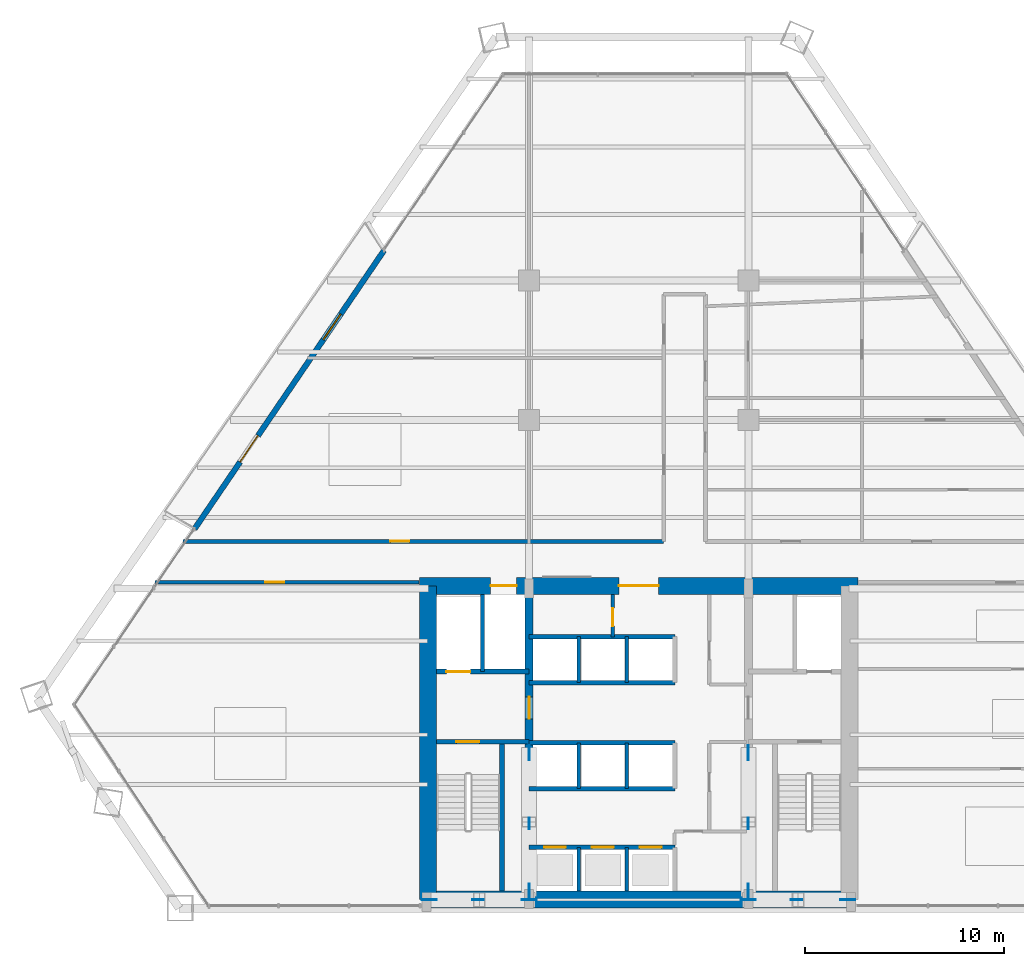
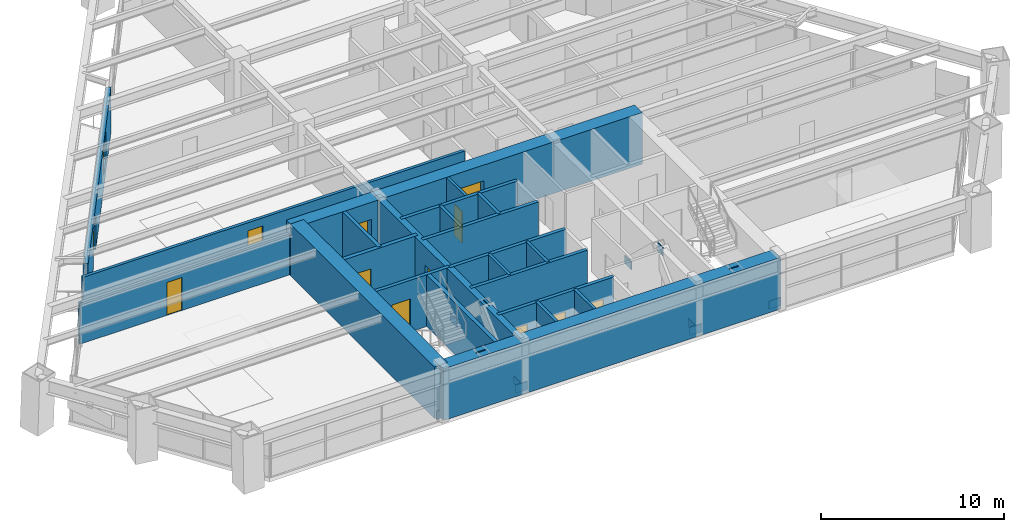
# One storey, part 10 of 15: 23 walls, 12 doors, 12 plates, 1 window, 13 openings.
"""IFC4 building model written with IfcOpenShell, lengths in metres."""

from ifc_helpers import new_model, si_unit, direction, frame, frame_2d, origin, origin_2d, place, context, subcontext, project, spatial, rectangle, extrude, source, transform, mapped, material, layer, layer_set, type_object, type_shapes, element, fill, save


model = new_model("IFC4")

# Units and contexts
model_context = context("Model", 3, precision=1e-05, world=origin(), true_north=direction((0.0, 1.0)))
body_context = subcontext(model_context, "Body", "Model", "MODEL_VIEW")
ifc_project = project(units=[si_unit("LENGTHUNIT", "METRE"), si_unit("AREAUNIT", "SQUARE_METRE"), si_unit("VOLUMEUNIT", "CUBIC_METRE"), si_unit("PLANEANGLEUNIT", "RADIAN"), si_unit("MASSUNIT", "GRAM", prefix="KILO")], contexts=[model_context])

# Site, building, storey
site_placement = place(None, origin())
site = spatial("IfcSite", under=ifc_project, at=site_placement, CompositionType="ELEMENT")
building_placement = place(site_placement, origin())
building = spatial("IfcBuilding", under=site, at=building_placement, Name="Varnakhor Terracotta Tower", CompositionType="ELEMENT")
storey_placement = place(building_placement, frame((0.0, 0.0, 57.10009765625)))
storey = spatial("IfcBuildingStorey", under=building, at=storey_placement, Name="L13", CompositionType="ELEMENT", Elevation=57.10009765625)

# Plates
ifc_material_1 = material(Name="Steel S460", Category="steel")
ifc_layer_1 = layer(ifc_material_1, 0.050048828125, Name="Steel S460")
ifc_layer_set_1 = layer_set([ifc_layer_1], Name="Steel S460")
plate_type = type_object("IfcPlateType", Name="PLT-GUSSET-50", PredefinedType="USERDEFINED", material=ifc_layer_set_1)
shared_shape_1 = source(origin(), body_context, "Body", "SweptSolid", [
    extrude(rectangle(XDim=0.75, YDim=0.0400390625, at=origin_2d()), origin(), (0.0, 0.0, 1.0), 0.550048828125),
])
type_shapes(plate_type, [shared_shape_1])
for number, where, z_axis, x_axis, name in (
    (1, (-10.5, 0.419921875, -0.09521484375), (0.0, 0.0, 1.0), (1.0, 0.0, 0.0), "L13 Core Brace Embed Plate CSWA"),
    (2, (-5.5, 0.419921875, -0.09521484375), (0.0, 0.0, 1.0), (1.0, 0.0, 0.0), "L13 Core Brace Embed Plate CSWB"),
    (3, (5.5, 0.419921875, -0.09521484375), (0.0, 0.0, 1.0), (1.0, 0.0, 0.0), "L13 Core Brace Embed Plate CSEA"),
    (4, (10.5, 0.419921875, -0.09521484375), (0.0, 0.0, 1.0), (1.0, 0.0, 0.0), "L13 Core Brace Embed Plate CSEB"),
    (5, (-5.5, 0.85009765625, -0.09521484375), (0.0, 0.0, 1.0), (0.0, 1.0, 0.0), "L13 Core Brace Embed Plate CWWA"),
    (6, (-5.5, 7.800048828125, -0.09521484375), (0.0, 0.0, 1.0), (0.0, 1.0, 0.0), "L13 Core Brace Embed Plate CWWB"),
    (7, (5.5, 0.85009765625, -0.09521484375), (0.0, 0.0, 1.0), (0.0, 1.0, 0.0), "L13 Core Brace Embed Plate CWEA"),
    (8, (5.5, 7.800048828125, -0.09521484375), (0.0, 0.0, 1.0), (0.0, 1.0, 0.0), "L13 Core Brace Embed Plate CWEB"),
):
    element("IfcPlate", number, at=place(storey_placement, frame(where, z_axis=z_axis, x_axis=x_axis)), inside=storey, type_object=plate_type, Name=name, ObjectType="GUSSET PLATE", PredefinedType="USERDEFINED", context=body_context, shape_type="MappedRepresentation", body=[
        mapped(shared_shape_1, transform((0.0, 0.0, 0.0), scale=1.0)),
    ])
shared_shape_2 = source(origin(), body_context, "Body", "SweptSolid", [
    extrude(rectangle(XDim=0.580078125, YDim=0.0400390625, at=origin_2d()), origin(), (0.0, 0.0, 1.0), 0.580078125),
])
for number, where, z_axis, x_axis, name in (
    (9, (-8.072509765625, 0.419921875, 2.9140625), (0.0, 0.0, 1.0), (1.0, 0.0, 0.0), "L13 Brace End Connection Plate 44"),
    (10, (7.927490234375, 0.419921875, 2.9140625), (0.0, 0.0, 1.0), (1.0, 0.0, 0.0), "L13 Brace End Connection Plate 45"),
    (11, (-5.5, 4.238037109375, 2.92724609375), (0.0, 0.0, 1.0), (0.0, 1.0, 0.0), "L13 Brace End Connection Plate 46"),
    (12, (5.5, 4.238037109375, 2.92724609375), (0.0, 0.0, 1.0), (0.0, 1.0, 0.0), "L13 Brace End Connection Plate 47"),
):
    element("IfcPlate", number, at=place(storey_placement, frame(where, z_axis=z_axis, x_axis=x_axis)), inside=storey, type_object=plate_type, Name=name, ObjectType="GUSSET PLATE", PredefinedType="USERDEFINED", context=body_context, shape_type="MappedRepresentation", body=[
        mapped(shared_shape_2, transform((0.0, 0.0, 0.0), scale=1.0)),
    ])

# Wall
ifc_material_2 = material(Name="Concrete C60/75", Category="concrete")
ifc_layer_2 = layer(ifc_material_2, 0.85009765625, Name="Concrete C60/75")
ifc_layer_set_2 = layer_set([ifc_layer_2], Name="Concrete C60/75")
wall_type_1 = type_object("IfcWallType", Name="WAL-CORE-850", PredefinedType="SHEAR", material=ifc_layer_set_2)
wall_1_placement = place(storey_placement, frame((-10.64990234375, 0.425048828125, 0.0), z_axis=(0.0, 0.0, 1.0), x_axis=(1.0, 0.0, 0.0)))
element("IfcWall", 13, at=wall_1_placement, inside=storey, type_object=wall_type_1, Name="L13 South Core Shear Wall", PredefinedType="SHEAR", context=body_context, shape_type="SweptSolid", body=[
    extrude(rectangle(XDim=21.2998046875, YDim=0.85009765625, at=frame_2d((10.64990234375, 0.0))), origin(), (0.0, 0.0, 1.0), 3.449951171875),
])

# Wall, openings, doors
wall_2_placement = place(storey_placement, frame((-11.0, 16.175048828125, 0.0), z_axis=(0.0, 0.0, 1.0), x_axis=(1.0, 0.0, 0.0)))
wall_2 = element("IfcWall", 14, at=wall_2_placement, inside=storey, type_object=wall_type_1, Name="L13 North Core Shear Wall", PredefinedType="SHEAR", context=body_context, shape_type="SweptSolid", body=[
    extrude(rectangle(XDim=22.0, YDim=0.85009765625, at=frame_2d((11.0, 0.0))), origin(), (0.0, 0.0, 1.0), 3.449951171875),
])
opening_1_placement = place(wall_2_placement, frame((3.570068359375, 0.0, 0.0)))
opening_1 = element("IfcOpeningElement", 15, at=opening_1_placement, cuts=wall_2, Name="Opening LD-03", PredefinedType="OPENING", context=body_context, shape_type="SweptSolid", body=[
    extrude(rectangle(XDim=1.300048828125, YDim=2.300048828125, at=frame_2d((0.64990234375, 1.14990234375))), frame((0.0, 0.43505859375, 0.0), z_axis=(0.0, -1.0, 0.0), x_axis=(1.0, 0.0, 0.0)), (0.0, 0.0, 1.0), 0.8701171875),
])
opening_2_placement = place(wall_2_placement, frame((10.0, 0.0, 0.0)))
opening_2 = element("IfcOpeningElement", 16, at=opening_2_placement, cuts=wall_2, Name="Opening DR-32", PredefinedType="OPENING", context=body_context, shape_type="SweptSolid", body=[
    extrude(rectangle(XDim=2.0, YDim=2.39990234375, at=frame_2d((1.0, 1.199951171875))), frame((0.0, 0.43505859375, 0.0), z_axis=(0.0, -1.0, 0.0), x_axis=(1.0, 0.0, 0.0)), (0.0, 0.0, 1.0), 0.8701171875),
])
ifc_material_3 = material(Name="Heavy-Duty Goods Sliding Lift Landing Door", Category="steel")
door_type_1 = type_object("IfcDoorType", Name="LD-SRV-1300X2300", OperationType="NOTDEFINED", PredefinedType="DOOR", material=ifc_material_3)
shared_shape_3 = source(origin(), body_context, "Body", "SweptSolid", [
    extrude(rectangle(XDim=1.300048828125, YDim=2.300048828125, at=frame_2d((0.64990234375, 1.14990234375))), frame((0.0, 0.02490234375, 0.0), z_axis=(0.0, -1.0, 0.0), x_axis=(1.0, 0.0, 0.0)), (0.0, 0.0, 1.0), 0.050048828125),
])
type_shapes(door_type_1, [shared_shape_3])
door_1_placement = place(opening_1_placement, origin())
door_1 = element("IfcDoor", 17, at=door_1_placement, inside=storey, type_object=door_type_1, Name="L13 Service Lift SVL-1 Landing Door", OperationType="SLIDING_TO_RIGHT", OverallHeight=2.300048828125, OverallWidth=1.300048828125, PredefinedType="DOOR", context=body_context, shape_type="MappedRepresentation", body=[
    mapped(shared_shape_3, transform((0.0, 0.0, 0.0), scale=1.0)),
])
fill(opening_1, door_1)
ifc_material_4 = material(Name="Acoustic Double Assembly Fire Door", Category="wood")
door_type_2 = type_object("IfcDoorType", Name="DR-HALL-2000X2400", OperationType="NOTDEFINED", PredefinedType="DOOR", material=ifc_material_4)
shared_shape_4 = source(origin(), body_context, "Body", "SweptSolid", [
    extrude(rectangle(XDim=2.0, YDim=2.39990234375, at=frame_2d((1.0, 1.199951171875))), frame((0.0, 0.02490234375, 0.0), z_axis=(0.0, -1.0, 0.0), x_axis=(1.0, 0.0, 0.0)), (0.0, 0.0, 1.0), 0.050048828125),
])
type_shapes(door_type_2, [shared_shape_4])
door_2_placement = place(opening_2_placement, origin())
door_2 = element("IfcDoor", 18, at=door_2_placement, inside=storey, type_object=door_type_2, Name="L13 Core Main Lobby Double Door", OperationType="DOUBLE_DOOR_SINGLE_SWING", OverallHeight=2.39990234375, OverallWidth=2.0, PredefinedType="DOOR", context=body_context, shape_type="MappedRepresentation", body=[
    mapped(shared_shape_4, transform((0.0, 0.0, 0.0), scale=1.0)),
])
fill(opening_2, door_2)

# Wall
wall_3_placement = place(storey_placement, frame((-10.574951171875, 0.425048828125, 0.0), z_axis=(0.0, 0.0, 1.0), x_axis=(0.0, 1.0, 0.0)))
element("IfcWall", 19, at=wall_3_placement, inside=storey, type_object=wall_type_1, Name="L13 West Core Shear Wall", PredefinedType="SHEAR", context=body_context, shape_type="SweptSolid", body=[
    extrude(rectangle(XDim=15.75, YDim=0.85009765625, at=frame_2d((7.875, 0.0))), origin(), (0.0, 0.0, 1.0), 3.449951171875),
])

# Wall, opening, door
ifc_material_5 = material(Name="Concrete C50/60", Category="concrete")
ifc_layer_3 = layer(ifc_material_5, 0.39990234375, Name="Concrete C50/60")
ifc_layer_set_3 = layer_set([ifc_layer_3], Name="Concrete C50/60")
wall_type_2 = type_object("IfcWallType", Name="WAL-CORE-WEB-400", PredefinedType="SHEAR", material=ifc_layer_set_3)
wall_4_placement = place(storey_placement, frame((-5.5, 0.425048828125, 0.0), z_axis=(0.0, 0.0, 1.0), x_axis=(0.0, 1.0, 0.0)))
wall_4 = element("IfcWall", 20, at=wall_4_placement, inside=storey, type_object=wall_type_2, Name="L13 West Core Web Shear Wall", PredefinedType="SHEAR", context=body_context, shape_type="SweptSolid", body=[
    extrude(rectangle(XDim=15.75, YDim=0.39990234375, at=frame_2d((7.875, 0.0))), origin(), (0.0, 0.0, 1.0), 3.449951171875),
])
opening_3_placement = place(wall_4_placement, frame((9.074951171875, 0.0, 0.0)))
opening_3 = element("IfcOpeningElement", 21, at=opening_3_placement, cuts=wall_4, Name="Opening DR-25", PredefinedType="OPENING", context=body_context, shape_type="SweptSolid", body=[
    extrude(rectangle(XDim=1.10009765625, YDim=2.199951171875, at=frame_2d((0.550048828125, 1.10009765625))), frame((0.0, 0.2099609375, 0.0), z_axis=(0.0, -1.0, 0.0), x_axis=(1.0, 0.0, 0.0)), (0.0, 0.0, 1.0), 0.419921875),
])
ifc_material_6 = material(Name="Firefighting Lobby Self-Closing Fire Door", Category="steel")
door_type_3 = type_object("IfcDoorType", Name="DR-FFL-1100X2200", OperationType="NOTDEFINED", PredefinedType="DOOR", material=ifc_material_6)
shared_shape_5 = source(origin(), body_context, "Body", "SweptSolid", [
    extrude(rectangle(XDim=1.10009765625, YDim=2.199951171875, at=frame_2d((0.550048828125, 1.10009765625))), frame((0.0, 0.02490234375, 0.0), z_axis=(0.0, -1.0, 0.0), x_axis=(1.0, 0.0, 0.0)), (0.0, 0.0, 1.0), 0.050048828125),
])
type_shapes(door_type_3, [shared_shape_5])
door_3_placement = place(opening_3_placement, origin())
door_3 = element("IfcDoor", 22, at=door_3_placement, inside=storey, type_object=door_type_3, Name="L13 West Firefighting Lobby Door", OperationType="SINGLE_SWING_LEFT", OverallHeight=2.199951171875, OverallWidth=1.10009765625, PredefinedType="DOOR", context=body_context, shape_type="MappedRepresentation", body=[
    mapped(shared_shape_5, transform((0.0, 0.0, 0.0), scale=1.0)),
])
fill(opening_3, door_3)

ifc_material_7 = material(Name="Fire-Rated Gypsum Stud Partition", Category="gypsum")
ifc_layer_4 = layer(ifc_material_7, 0.18505859375, Name="Fire-Rated Gypsum Stud Partition")
ifc_layer_set_4 = layer_set([ifc_layer_4], Name="Fire-Rated Gypsum Stud Partition")
wall_type_3 = type_object("IfcWallType", Name="WAL-CORR-185", PredefinedType="PARTITIONING", material=ifc_layer_set_4)
wall_5_placement = place(storey_placement, frame((-24.268310546875, 16.35009765625, 0.0), z_axis=(0.0, 0.0, 1.0), x_axis=(1.0, 0.0, 0.0)))
wall_5 = element("IfcWall", 23, at=wall_5_placement, inside=storey, type_object=wall_type_3, Name="L13 South West Corridor Wall", PredefinedType="PARTITIONING", context=body_context, shape_type="SweptSolid", body=[
    extrude(rectangle(XDim=13.248291015625, YDim=0.18505859375, at=frame_2d((6.6240234375, 0.0))), origin(), (0.0, 0.0, 1.0), 2.746826171875),
])
opening_4_placement = place(wall_5_placement, frame((5.520751953125, 0.0, 0.0)))
opening_4 = element("IfcOpeningElement", 24, at=opening_4_placement, cuts=wall_5, Name="Opening DR-94", PredefinedType="OPENING", context=body_context, shape_type="SweptSolid", body=[
    extrude(rectangle(XDim=0.949951171875, YDim=2.199951171875, at=frame_2d((0.47509765625, 1.10009765625))), frame((0.0, 0.1025390625, 0.0), z_axis=(0.0, -1.0, 0.0), x_axis=(1.0, 0.0, 0.0)), (0.0, 0.0, 1.0), 0.205078125),
])
ifc_material_8 = material(Name="Acoustic Glazed-Vision Timber Office Door", Category="wood")
door_type_4 = type_object("IfcDoorType", Name="DR-OFF-950X2200", OperationType="NOTDEFINED", PredefinedType="DOOR", material=ifc_material_8)
shared_shape_6 = source(origin(), body_context, "Body", "SweptSolid", [
    extrude(rectangle(XDim=0.949951171875, YDim=2.199951171875, at=frame_2d((0.47509765625, 1.10009765625))), frame((0.0, 0.02490234375, 0.0), z_axis=(0.0, -1.0, 0.0), x_axis=(1.0, 0.0, 0.0)), (0.0, 0.0, 1.0), 0.050048828125),
])
type_shapes(door_type_4, [shared_shape_6])
door_4_placement = place(opening_4_placement, origin())
door_4 = element("IfcDoor", 25, at=door_4_placement, inside=storey, type_object=door_type_4, Name="L13 SW Suite Door", OperationType="SINGLE_SWING_RIGHT", OverallHeight=2.199951171875, OverallWidth=0.949951171875, PredefinedType="DOOR", context=body_context, shape_type="MappedRepresentation", body=[
    mapped(shared_shape_6, transform((0.0, 0.0, 0.0), scale=1.0)),
])
fill(opening_4, door_4)

wall_6_placement = place(storey_placement, frame((-22.873291015625, 18.39990234375, 0.0), z_axis=(0.0, 0.0, 1.0), x_axis=(1.0, 0.0, 0.0)))
wall_6 = element("IfcWall", 26, at=wall_6_placement, inside=storey, type_object=wall_type_3, Name="L13 Corridor North West Wall", PredefinedType="PARTITIONING", context=body_context, shape_type="SweptSolid", body=[
    extrude(rectangle(XDim=24.123291015625, YDim=0.18505859375, at=frame_2d((12.0615234375, 0.0))), origin(), (0.0, 0.0, 1.0), 2.746826171875),
])
opening_5_placement = place(wall_6_placement, frame((10.41455078125, 0.0, 0.0)))
opening_5 = element("IfcOpeningElement", 27, at=opening_5_placement, cuts=wall_6, Name="Opening DR-94", PredefinedType="OPENING", context=body_context, shape_type="SweptSolid", body=[
    extrude(rectangle(XDim=0.949951171875, YDim=2.199951171875, at=frame_2d((0.47509765625, 1.10009765625))), frame((0.0, 0.1025390625, 0.0), z_axis=(0.0, -1.0, 0.0), x_axis=(1.0, 0.0, 0.0)), (0.0, 0.0, 1.0), 0.205078125),
])
door_5_placement = place(opening_5_placement, origin())
door_5 = element("IfcDoor", 28, at=door_5_placement, inside=storey, type_object=door_type_4, Name="L13 West Workplace Door", OperationType="SINGLE_SWING_RIGHT", OverallHeight=2.199951171875, OverallWidth=0.949951171875, PredefinedType="DOOR", context=body_context, shape_type="MappedRepresentation", body=[
    mapped(shared_shape_6, transform((0.0, 0.0, 0.0), scale=1.0)),
])
fill(opening_5, door_5)

# Wall, openings, door, window
ifc_material_9 = material(Name="Extruded Architectural Terracotta Assembly", Category="masonry")
ifc_layer_5 = layer(ifc_material_9, 0.280029296875, Name="Extruded Architectural Terracotta Assembly")
ifc_layer_set_5 = layer_set([ifc_layer_5], Name="Extruded Architectural Terracotta Assembly")
wall_type_4 = type_object("IfcWallType", Name="WAL-EXT-TERRACOTTA-280", PredefinedType="SOLIDWALL", material=ifc_layer_set_5)
wall_7_placement = place(storey_placement, frame((-22.285888671875, 19.031982421875, 0.0), z_axis=(0.0, 0.0, 1.0), x_axis=(0.562555862803, 0.826759276468, 0.0)))
wall_7 = element("IfcWall", 29, at=wall_7_placement, inside=storey, type_object=wall_type_4, Name="L13 W Loggia Insulated Terracotta Wall", PredefinedType="SOLIDWALL", context=body_context, shape_type="SweptSolid", body=[
    extrude(rectangle(XDim=16.893798828125, YDim=0.280029296875, at=frame_2d((8.44677734375, 0.0))), origin(), (0.0, 0.0, 1.0), 3.02978515625),
])
opening_6_placement = place(wall_7_placement, frame((4.054443359375, 0.0, 0.0)))
opening_6 = element("IfcOpeningElement", 30, at=opening_6_placement, cuts=wall_7, Name="Opening DR-62", PredefinedType="OPENING", context=body_context, shape_type="SweptSolid", body=[
    extrude(rectangle(XDim=1.60009765625, YDim=2.35009765625, at=frame_2d((0.800048828125, 1.175048828125))), frame((0.0, 0.14990234375, 0.0), z_axis=(0.0, -1.0, 0.0), x_axis=(1.0, 0.0, 0.0)), (0.0, 0.0, 1.0), 0.300048828125),
])
opening_7_placement = place(wall_7_placement, frame((11.48779296875, 0.0, 0.89990234375)))
opening_7 = element("IfcOpeningElement", 31, at=opening_7_placement, cuts=wall_7, Name="Opening WN-57", PredefinedType="OPENING", context=body_context, shape_type="SweptSolid", body=[
    extrude(rectangle(XDim=1.550048828125, YDim=1.85009765625, at=frame_2d((0.77490234375, 0.925048828125))), frame((0.0, 0.14990234375, 0.0), z_axis=(0.0, -1.0, 0.0), x_axis=(1.0, 0.0, 0.0)), (0.0, 0.0, 1.0), 0.300048828125),
])
ifc_material_10 = material(Name="Thermally Broken Sliding Glass Loggia Door", Category="glass")
door_type_5 = type_object("IfcDoorType", Name="DR-EXT-LOGGIA-1600X2350", OperationType="NOTDEFINED", PredefinedType="DOOR", material=ifc_material_10)
shared_shape_7 = source(origin(), body_context, "Body", "SweptSolid", [
    extrude(rectangle(XDim=1.60009765625, YDim=2.35009765625, at=frame_2d((0.800048828125, 1.175048828125))), frame((0.0, 0.02490234375, 0.0), z_axis=(0.0, -1.0, 0.0), x_axis=(1.0, 0.0, 0.0)), (0.0, 0.0, 1.0), 0.050048828125),
])
type_shapes(door_type_5, [shared_shape_7])
door_6_placement = place(opening_6_placement, origin())
door_6 = element("IfcDoor", 32, at=door_6_placement, inside=storey, type_object=door_type_5, Name="L13 W Recessed Loggia Sliding Door", OperationType="SLIDING_TO_LEFT", OverallHeight=2.35009765625, OverallWidth=1.60009765625, PredefinedType="DOOR", context=body_context, shape_type="MappedRepresentation", body=[
    mapped(shared_shape_7, transform((0.0, 0.0, 0.0), scale=1.0)),
])
fill(opening_6, door_6)
ifc_material_11 = material(Name="Solar-Control Low-E Insulated Glass Unit", Category="glass")
window_type = type_object("IfcWindowType", Name="WIN-OFF-1650X2100", PartitioningType="SINGLE_PANEL", PredefinedType="WINDOW", material=ifc_material_11)
shared_shape_8 = source(origin(), body_context, "Body", "SweptSolid", [
    extrude(rectangle(XDim=1.550048828125, YDim=1.85009765625, at=frame_2d((0.77490234375, 0.925048828125))), frame((0.0, 0.030029296875, 0.0), z_axis=(0.0, -1.0, 0.0), x_axis=(1.0, 0.0, 0.0)), (0.0, 0.0, 1.0), 0.06005859375),
])
type_shapes(window_type, [shared_shape_8])
window_placement = place(opening_7_placement, origin())
window = element("IfcWindow", 33, at=window_placement, inside=storey, type_object=window_type, Name="L13 W Facet Punched Window", OverallHeight=1.85009765625, OverallWidth=1.550048828125, PartitioningType="SINGLE_PANEL", PredefinedType="WINDOW", context=body_context, shape_type="MappedRepresentation", body=[
    mapped(shared_shape_8, transform((0.0, 0.0, 0.0), scale=1.0)),
])
fill(opening_7, window)

# Wall, opening, door
ifc_material_12 = material(Name="Concrete C40/50", Category="concrete")
ifc_layer_6 = layer(ifc_material_12, 0.219970703125, Name="Concrete C40/50")
ifc_layer_set_6 = layer_set([ifc_layer_6], Name="Concrete C40/50")
wall_type_5 = type_object("IfcWallType", Name="WAL-FFLOBBY-220", PredefinedType="SOLIDWALL", material=ifc_layer_set_6)
wall_8_placement = place(storey_placement, frame((-5.5, 8.35009765625, 0.0), z_axis=(0.0, 0.0, 1.0), x_axis=(-1.0, 0.0, 0.0)))
wall_8 = element("IfcWall", 34, at=wall_8_placement, inside=storey, type_object=wall_type_5, Name="L13 West Firefighting Lobby Stair Wall", PredefinedType="SOLIDWALL", context=body_context, shape_type="SweptSolid", body=[
    extrude(rectangle(XDim=4.64990234375, YDim=0.219970703125, at=frame_2d((2.324951171875, 0.0))), origin(), (0.0, 0.0, 1.0), 3.449951171875),
])
opening_8_placement = place(wall_8_placement, frame((2.5, 0.0, 0.0)))
opening_8 = element("IfcOpeningElement", 35, at=opening_8_placement, cuts=wall_8, Name="Opening DR-34", PredefinedType="OPENING", context=body_context, shape_type="SweptSolid", body=[
    extrude(rectangle(XDim=1.14990234375, YDim=2.199951171875, at=frame_2d((0.574951171875, 1.10009765625))), frame((0.0, 0.1201171875, 0.0), z_axis=(0.0, -1.0, 0.0), x_axis=(1.0, 0.0, 0.0)), (0.0, 0.0, 1.0), 0.239990234375),
])
ifc_material_13 = material(Name="Self-Closing Smoke-Sealed Steel Fire Door", Category="steel")
door_type_6 = type_object("IfcDoorType", Name="DR-STAIR-1150X2200", OperationType="NOTDEFINED", PredefinedType="DOOR", material=ifc_material_13)
shared_shape_9 = source(origin(), body_context, "Body", "SweptSolid", [
    extrude(rectangle(XDim=1.14990234375, YDim=2.199951171875, at=frame_2d((0.574951171875, 1.10009765625))), frame((0.0, 0.02490234375, 0.0), z_axis=(0.0, -1.0, 0.0), x_axis=(1.0, 0.0, 0.0)), (0.0, 0.0, 1.0), 0.050048828125),
])
type_shapes(door_type_6, [shared_shape_9])
door_7_placement = place(opening_8_placement, origin())
door_7 = element("IfcDoor", 36, at=door_7_placement, inside=storey, type_object=door_type_6, Name="L13 Exit Stair ST-1 Fire Door", OperationType="SINGLE_SWING_RIGHT", OverallHeight=2.199951171875, OverallWidth=1.14990234375, PredefinedType="DOOR", context=body_context, shape_type="MappedRepresentation", body=[
    mapped(shared_shape_9, transform((0.0, 0.0, 0.0), scale=1.0)),
])
fill(opening_8, door_7)

# Walls
ifc_layer_7 = layer(ifc_material_12, 0.179931640625, Name="Concrete C40/50")
ifc_layer_set_7 = layer_set([ifc_layer_7], Name="Concrete C40/50")
wall_type_6 = type_object("IfcWallType", Name="WAL-SHAFT-180", PredefinedType="SOLIDWALL", material=ifc_layer_set_7)
for number, where, z_axis, x_axis, name in (
    (37, (-3.0, 0.85009765625, 0.0), (0.0, 0.0, 1.0), (0.0, 1.0, 0.0), "L13 PL-1A Divider"),
    (38, (-0.60009765625, 0.85009765625, 0.0), (0.0, 0.0, 1.0), (0.0, 1.0, 0.0), "L13 PL-1B Divider"),
):
    element("IfcWall", number, at=place(storey_placement, frame(where, z_axis=z_axis, x_axis=x_axis)), inside=storey, type_object=wall_type_6, Name=name, PredefinedType="SOLIDWALL", context=body_context, shape_type="SweptSolid", body=[
        extrude(rectangle(XDim=2.199951171875, YDim=0.179931640625, at=frame_2d((1.10009765625, 0.0))), origin(), (0.0, 0.0, 1.0), 3.449951171875),
    ])
for number, where, z_axis, x_axis, name in (
    (39, (-3.0, 6.0, 0.0), (0.0, 0.0, 1.0), (0.0, 1.0, 0.0), "L13 PL-2A Divider"),
    (40, (-0.60009765625, 6.0, 0.0), (0.0, 0.0, 1.0), (0.0, 1.0, 0.0), "L13 PL-2B Divider"),
    (41, (-3.0, 11.320068359375, 0.0), (0.0, 0.0, 1.0), (0.0, 1.0, 0.0), "L13 PL-3A Divider"),
    (42, (-0.60009765625, 11.320068359375, 0.0), (0.0, 0.0, 1.0), (0.0, 1.0, 0.0), "L13 PL-3B Divider"),
):
    element("IfcWall", number, at=place(storey_placement, frame(where, z_axis=z_axis, x_axis=x_axis)), inside=storey, type_object=wall_type_6, Name=name, PredefinedType="SOLIDWALL", context=body_context, shape_type="SweptSolid", body=[
        extrude(rectangle(XDim=2.300048828125, YDim=0.179931640625, at=frame_2d((1.14990234375, 0.0))), origin(), (0.0, 0.0, 1.0), 3.449951171875),
    ])
ifc_layer_8 = layer(ifc_material_12, 0.219970703125, Name="Concrete C40/50")
ifc_layer_set_8 = layer_set([ifc_layer_8], Name="Concrete C40/50")
wall_type_7 = type_object("IfcWallType", Name="WAL-SHAFT-220", PredefinedType="SOLIDWALL", material=ifc_layer_set_8)
wall_9_placement = place(storey_placement, frame((-7.840087890625, 11.8701171875, 0.0), z_axis=(0.0, 0.0, 1.0), x_axis=(0.0, 1.0, 0.0)))
element("IfcWall", 43, at=wall_9_placement, inside=storey, type_object=wall_type_7, Name="L13 Lift FFL-1 and SVL-1 Divider Wall", PredefinedType="SOLIDWALL", context=body_context, shape_type="SweptSolid", body=[
    extrude(rectangle(XDim=3.8798828125, YDim=0.219970703125, at=frame_2d((1.93994140625, 0.0))), origin(), (0.0, 0.0, 1.0), 3.449951171875),
])

# Wall, openings, doors
wall_10_placement = place(storey_placement, frame((-5.5, 3.050048828125, 0.0), z_axis=(0.0, 0.0, 1.0), x_axis=(1.0, 0.0, 0.0)))
wall_10 = element("IfcWall", 44, at=wall_10_placement, inside=storey, type_object=wall_type_7, Name="L13 Bank 1 Lift Shaft Wall", PredefinedType="SOLIDWALL", context=body_context, shape_type="SweptSolid", body=[
    extrude(rectangle(XDim=7.320068359375, YDim=0.219970703125, at=frame_2d((3.66015625, 0.0))), origin(), (0.0, 0.0, 1.0), 3.449951171875),
])
opening_9_placement = place(wall_10_placement, frame((0.75, 0.0, 0.0)))
opening_9 = element("IfcOpeningElement", 45, at=opening_9_placement, cuts=wall_10, Name="Opening LD-01", PredefinedType="OPENING", context=body_context, shape_type="SweptSolid", body=[
    extrude(rectangle(XDim=1.10009765625, YDim=2.199951171875, at=frame_2d((0.550048828125, 1.10009765625))), frame((0.0, 0.1201171875, 0.0), z_axis=(0.0, -1.0, 0.0), x_axis=(1.0, 0.0, 0.0)), (0.0, 0.0, 1.0), 0.239990234375),
])
opening_10_placement = place(wall_10_placement, frame((3.14990234375, 0.0, 0.0)))
opening_10 = element("IfcOpeningElement", 46, at=opening_10_placement, cuts=wall_10, Name="Opening LD-01", PredefinedType="OPENING", context=body_context, shape_type="SweptSolid", body=[
    extrude(rectangle(XDim=1.10009765625, YDim=2.199951171875, at=frame_2d((0.550048828125, 1.10009765625))), frame((0.0, 0.1201171875, 0.0), z_axis=(0.0, -1.0, 0.0), x_axis=(1.0, 0.0, 0.0)), (0.0, 0.0, 1.0), 0.239990234375),
])
opening_11_placement = place(wall_10_placement, frame((5.550048828125, 0.0, 0.0)))
opening_11 = element("IfcOpeningElement", 47, at=opening_11_placement, cuts=wall_10, Name="Opening LD-01", PredefinedType="OPENING", context=body_context, shape_type="SweptSolid", body=[
    extrude(rectangle(XDim=1.10009765625, YDim=2.199951171875, at=frame_2d((0.550048828125, 1.10009765625))), frame((0.0, 0.1201171875, 0.0), z_axis=(0.0, -1.0, 0.0), x_axis=(1.0, 0.0, 0.0)), (0.0, 0.0, 1.0), 0.239990234375),
])
ifc_material_14 = material(Name="Brushed Stainless Steel Sliding Lift Landing Door", Category="steel")
door_type_7 = type_object("IfcDoorType", Name="LD-PASS-1100X2200", OperationType="NOTDEFINED", PredefinedType="DOOR", material=ifc_material_14)
shared_shape_10 = source(origin(), body_context, "Body", "SweptSolid", [
    extrude(rectangle(XDim=1.10009765625, YDim=2.199951171875, at=frame_2d((0.550048828125, 1.10009765625))), frame((0.0, 0.02490234375, 0.0), z_axis=(0.0, -1.0, 0.0), x_axis=(1.0, 0.0, 0.0)), (0.0, 0.0, 1.0), 0.050048828125),
])
type_shapes(door_type_7, [shared_shape_10])
door_8_placement = place(opening_9_placement, origin())
door_8 = element("IfcDoor", 48, at=door_8_placement, inside=storey, type_object=door_type_7, Name="L13 Passenger Lift PL-1A Landing Door", OperationType="SLIDING_TO_RIGHT", OverallHeight=2.199951171875, OverallWidth=1.10009765625, PredefinedType="DOOR", context=body_context, shape_type="MappedRepresentation", body=[
    mapped(shared_shape_10, transform((0.0, 0.0, 0.0), scale=1.0)),
])
fill(opening_9, door_8)
door_9_placement = place(opening_10_placement, origin())
door_9 = element("IfcDoor", 49, at=door_9_placement, inside=storey, type_object=door_type_7, Name="L13 Passenger Lift PL-1B Landing Door", OperationType="SLIDING_TO_RIGHT", OverallHeight=2.199951171875, OverallWidth=1.10009765625, PredefinedType="DOOR", context=body_context, shape_type="MappedRepresentation", body=[
    mapped(shared_shape_10, transform((0.0, 0.0, 0.0), scale=1.0)),
])
fill(opening_10, door_9)
door_10_placement = place(opening_11_placement, origin())
door_10 = element("IfcDoor", 50, at=door_10_placement, inside=storey, type_object=door_type_7, Name="L13 Passenger Lift PL-1C Landing Door", OperationType="SLIDING_TO_RIGHT", OverallHeight=2.199951171875, OverallWidth=1.10009765625, PredefinedType="DOOR", context=body_context, shape_type="MappedRepresentation", body=[
    mapped(shared_shape_10, transform((0.0, 0.0, 0.0), scale=1.0)),
])
fill(opening_11, door_10)

# Walls
for number, where, z_axis, x_axis, name in (
    (51, (-5.5, 6.0, 0.0), (0.0, 0.0, 1.0), (1.0, 0.0, 0.0), "L13 Bank 2 South Shaft Wall"),
    (52, (-5.5, 8.300048828125, 0.0), (0.0, 0.0, 1.0), (1.0, 0.0, 0.0), "L13 Bank 2 North Shaft Wall"),
    (53, (-5.5, 11.320068359375, 0.0), (0.0, 0.0, 1.0), (1.0, 0.0, 0.0), "L13 Bank 3 South Shaft Wall"),
    (54, (-5.5, 13.6201171875, 0.0), (0.0, 0.0, 1.0), (1.0, 0.0, 0.0), "L13 Bank 3 North Shaft Wall"),
):
    element("IfcWall", number, at=place(storey_placement, frame(where, z_axis=z_axis, x_axis=x_axis)), inside=storey, type_object=wall_type_7, Name=name, PredefinedType="SOLIDWALL", context=body_context, shape_type="SweptSolid", body=[
        extrude(rectangle(XDim=7.320068359375, YDim=0.219970703125, at=frame_2d((3.66015625, 0.0))), origin(), (0.0, 0.0, 1.0), 3.449951171875),
    ])
ifc_layer_9 = layer(ifc_material_12, 0.25, Name="Concrete C40/50")
ifc_layer_set_9 = layer_set([ifc_layer_9], Name="Concrete C40/50")
wall_type_8 = type_object("IfcWallType", Name="WAL-SHAFT-250", PredefinedType="SOLIDWALL", material=ifc_layer_set_9)
wall_11_placement = place(storey_placement, frame((-6.85009765625, 0.85009765625, 0.0), z_axis=(0.0, 0.0, 1.0), x_axis=(0.0, 1.0, 0.0)))
element("IfcWall", 55, at=wall_11_placement, inside=storey, type_object=wall_type_8, Name="L13 Stair ST-1 Bearing Shaft Wall", PredefinedType="SOLIDWALL", context=body_context, shape_type="SweptSolid", body=[
    extrude(rectangle(XDim=7.5, YDim=0.25, at=frame_2d((3.75, 0.0))), origin(), (0.0, 0.0, 1.0), 3.449951171875),
])

# Wall, opening, door
wall_12_placement = place(storey_placement, frame((-5.5, 11.8701171875, 0.0), z_axis=(0.0, 0.0, 1.0), x_axis=(-1.0, 0.0, 0.0)))
wall_12 = element("IfcWall", 56, at=wall_12_placement, inside=storey, type_object=wall_type_8, Name="L13 Lift FFL-1 Shaft Front Wall", PredefinedType="SOLIDWALL", context=body_context, shape_type="SweptSolid", body=[
    extrude(rectangle(XDim=4.64990234375, YDim=0.25, at=frame_2d((2.324951171875, 0.0))), origin(), (0.0, 0.0, 1.0), 3.449951171875),
])
opening_12_placement = place(wall_12_placement, frame((2.949951171875, 0.0, 0.0)))
opening_12 = element("IfcOpeningElement", 57, at=opening_12_placement, cuts=wall_12, Name="Opening LD-02", PredefinedType="OPENING", context=body_context, shape_type="SweptSolid", body=[
    extrude(rectangle(XDim=1.199951171875, YDim=2.25, at=frame_2d((0.60009765625, 1.125))), frame((0.0, 0.135009765625, 0.0), z_axis=(0.0, -1.0, 0.0), x_axis=(1.0, 0.0, 0.0)), (0.0, 0.0, 1.0), 0.27001953125),
])
ifc_material_15 = material(Name="Firefighting Stretcher Sliding Lift Landing Door", Category="steel")
door_type_8 = type_object("IfcDoorType", Name="LD-FFL-1200X2250", OperationType="NOTDEFINED", PredefinedType="DOOR", material=ifc_material_15)
shared_shape_11 = source(origin(), body_context, "Body", "SweptSolid", [
    extrude(rectangle(XDim=1.199951171875, YDim=2.25, at=frame_2d((0.60009765625, 1.125))), frame((0.0, 0.02490234375, 0.0), z_axis=(0.0, -1.0, 0.0), x_axis=(1.0, 0.0, 0.0)), (0.0, 0.0, 1.0), 0.050048828125),
])
type_shapes(door_type_8, [shared_shape_11])
door_11_placement = place(opening_12_placement, origin())
door_11 = element("IfcDoor", 58, at=door_11_placement, inside=storey, type_object=door_type_8, Name="L13 Firefighting Lift FFL-1 Landing Door", OperationType="SLIDING_TO_LEFT", OverallHeight=2.25, OverallWidth=1.199951171875, PredefinedType="DOOR", context=body_context, shape_type="MappedRepresentation", body=[
    mapped(shared_shape_11, transform((0.0, 0.0, 0.0), scale=1.0)),
])
fill(opening_12, door_11)

ifc_material_16 = material(Name="Acoustic Fire-Rated Partition", Category="gypsum")
ifc_layer_10 = layer(ifc_material_16, 0.1650390625, Name="Acoustic Fire-Rated Partition")
ifc_layer_set_10 = layer_set([ifc_layer_10], Name="Acoustic Fire-Rated Partition")
wall_type_9 = type_object("IfcWallType", Name="WAL-TENANCY-165", PredefinedType="PARTITIONING", material=ifc_layer_set_10)
wall_13_placement = place(storey_placement, frame((-1.300048828125, 13.60009765625, 0.0), z_axis=(0.0, 0.0, 1.0), x_axis=(0.0, 1.0, 0.0)))
wall_13 = element("IfcWall", 59, at=wall_13_placement, inside=storey, type_object=wall_type_9, Name="L13 Male Restroom Wall", PredefinedType="PARTITIONING", context=body_context, shape_type="SweptSolid", body=[
    extrude(rectangle(XDim=2.14990234375, YDim=0.1650390625, at=frame_2d((1.074951171875, 0.0))), origin(), (0.0, 0.0, 1.0), 3.44189453125),
])
opening_13_placement = place(wall_13_placement, frame((0.550048828125, 0.0, 0.0)))
opening_13 = element("IfcOpeningElement", 60, at=opening_13_placement, cuts=wall_13, Name="Opening DR-67", PredefinedType="OPENING", context=body_context, shape_type="SweptSolid", body=[
    extrude(rectangle(XDim=0.89990234375, YDim=2.10009765625, at=frame_2d((0.449951171875, 1.050048828125))), frame((0.0, 0.092529296875, 0.0), z_axis=(0.0, -1.0, 0.0), x_axis=(1.0, 0.0, 0.0)), (0.0, 0.0, 1.0), 0.18505859375),
])
ifc_material_17 = material(Name="Steel Service Riser Fire Door", Category="steel")
door_type_9 = type_object("IfcDoorType", Name="DR-RISER-900X2100", OperationType="NOTDEFINED", PredefinedType="DOOR", material=ifc_material_17)
shared_shape_12 = source(origin(), body_context, "Body", "SweptSolid", [
    extrude(rectangle(XDim=0.89990234375, YDim=2.10009765625, at=frame_2d((0.449951171875, 1.050048828125))), frame((0.0, 0.02490234375, 0.0), z_axis=(0.0, -1.0, 0.0), x_axis=(1.0, 0.0, 0.0)), (0.0, 0.0, 1.0), 0.050048828125),
])
type_shapes(door_type_9, [shared_shape_12])
door_12_placement = place(opening_13_placement, origin())
door_12 = element("IfcDoor", 61, at=door_12_placement, inside=storey, type_object=door_type_9, Name="L13 Male WC Door", OperationType="SINGLE_SWING_RIGHT", OverallHeight=2.10009765625, OverallWidth=0.89990234375, PredefinedType="DOOR", context=body_context, shape_type="MappedRepresentation", body=[
    mapped(shared_shape_12, transform((0.0, 0.0, 0.0), scale=1.0)),
])
fill(opening_13, door_12)

save(model, "model.ifc")
